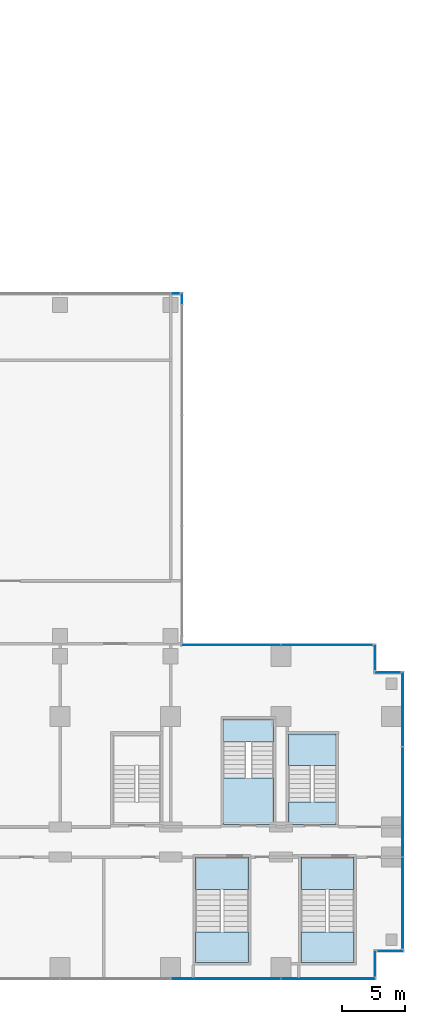
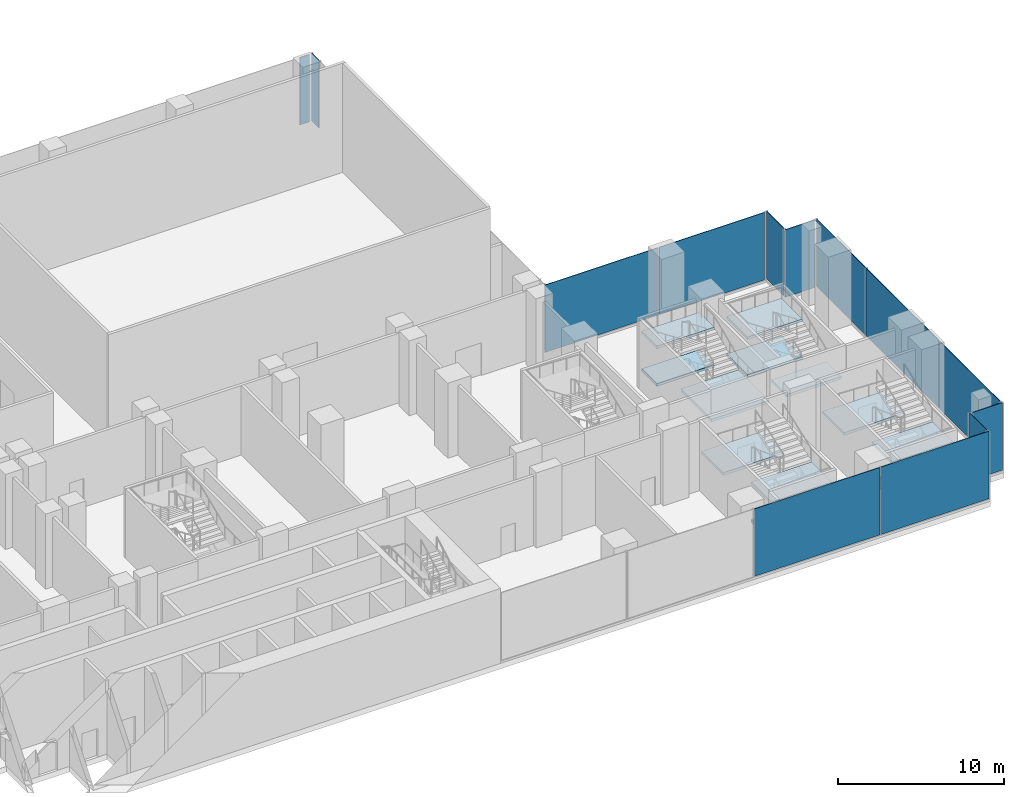
# One storey, part 16 of 30: 13 plates, 12 slabs, 13 elements without a shape of their own.
"""IFC4 building model written with IfcOpenShell, lengths in metres."""

from ifc_helpers import new_model, si_unit, direction, frame, origin, origin_2d, place, context, subcontext, project, spatial, polyline, rectangle, outline, extrude, source, transform, mapped, material, layer, layer_set, type_object, element, aggregate, save


model = new_model("IFC4")

# Units and contexts
model_context = context("Model", 3, precision=1e-05, world=origin(), true_north=direction((0.0, 1.0)))
body_context = subcontext(model_context, "Body", "Model", "MODEL_VIEW")
ifc_project = project(units=[si_unit("LENGTHUNIT", "METRE"), si_unit("AREAUNIT", "SQUARE_METRE"), si_unit("VOLUMEUNIT", "CUBIC_METRE"), si_unit("PLANEANGLEUNIT", "RADIAN"), si_unit("MASSUNIT", "GRAM", prefix="KILO")], contexts=[model_context])

# Site, building, storey
site_placement = place(None, origin())
site = spatial("IfcSite", under=ifc_project, at=site_placement, CompositionType="ELEMENT")
building_placement = place(site_placement, origin())
building = spatial("IfcBuilding", under=site, at=building_placement, Name="Kemantara Hotel Tower", CompositionType="ELEMENT")
storey_placement = place(building_placement, frame((0.0, 0.0, 18.0)))
storey = spatial("IfcBuildingStorey", under=building, at=storey_placement, Name="L03", CompositionType="ELEMENT", Elevation=18.0)

# Stair, slabs
ifc_material_1 = material(Name="Concrete fc 40 MPa", Category="concrete")
stair_type_1 = type_object("IfcStairType", Name="Stair 1800 wide 36 risers of 153 x 360 mm", PredefinedType="HALF_TURN_STAIR", material=ifc_material_1)
stair_1_placement = place(storey_placement, origin())
stair_1 = element("IfcStair", 1, at=stair_1_placement, inside=storey, type_object=stair_type_1, Name="L03 Exit stair ST5", PredefinedType="HALF_TURN_STAIR")
ifc_layer_1 = layer(ifc_material_1, 0.199951171875)
ifc_layer_set_1 = layer_set([ifc_layer_1], Name="Concrete fc 40 MPa")
slab_type = type_object("IfcSlabType", Name="Stair landing 200 mm", PredefinedType="LANDING", material=ifc_layer_set_1)
slab_1_placement = place(storey_placement, frame((0.0, 0.0, 1.175048828125)))
slab_1 = element("IfcSlab", 2, at=slab_1_placement, type_object=slab_type, Name="ST5 landing 1", PredefinedType="LANDING", context=body_context, shape_type="SweptSolid", body=[
    extrude(outline(polyline([(75.800048828125, 17.080078125), (75.800048828125, 19.60009765625), (72.0, 19.60009765625), (72.0, 17.080078125), (75.800048828125, 17.080078125)])), origin(), (0.0, 0.0, 1.0), 0.199951171875),
])
slab_2_placement = place(storey_placement, frame((0.0, 0.0, 2.550048828125)))
slab_2 = element("IfcSlab", 3, at=slab_2_placement, type_object=slab_type, Name="ST5 landing 2", PredefinedType="LANDING", context=body_context, shape_type="SweptSolid", body=[
    extrude(outline(polyline([(75.800048828125, 12.39990234375), (75.800048828125, 14.199951171875), (72.0, 14.199951171875), (72.0, 12.39990234375), (75.800048828125, 12.39990234375)])), origin(), (0.0, 0.0, 1.0), 0.199951171875),
])
slab_3_placement = place(storey_placement, frame((0.0, 0.0, 3.925048828125)))
slab_3 = element("IfcSlab", 4, at=slab_3_placement, type_object=slab_type, Name="ST5 landing 3", PredefinedType="LANDING", context=body_context, shape_type="SweptSolid", body=[
    extrude(outline(polyline([(75.800048828125, 17.080078125), (75.800048828125, 19.60009765625), (72.0, 19.60009765625), (72.0, 17.080078125), (75.800048828125, 17.080078125)])), origin(), (0.0, 0.0, 1.0), 0.199951171875),
])
aggregate(stair_1, [slab_1, slab_2, slab_3])

stair_2_placement = place(storey_placement, origin())
stair_2 = element("IfcStair", 5, at=stair_2_placement, inside=storey, type_object=stair_type_1, Name="L03 Stair PS1", PredefinedType="HALF_TURN_STAIR")
slab_4_placement = place(storey_placement, frame((0.0, 0.0, 1.175048828125)))
slab_4 = element("IfcSlab", 6, at=slab_4_placement, type_object=slab_type, Name="PS1 landing 1", PredefinedType="LANDING", context=body_context, shape_type="SweptSolid", body=[
    extrude(outline(polyline([(70.800048828125, 18.97998046875), (70.800048828125, 20.800048828125), (66.800048828125, 20.800048828125), (66.800048828125, 18.97998046875), (70.800048828125, 18.97998046875)])), origin(), (0.0, 0.0, 1.0), 0.199951171875),
])
slab_5_placement = place(storey_placement, frame((0.0, 0.0, 2.550048828125)))
slab_5 = element("IfcSlab", 7, at=slab_5_placement, type_object=slab_type, Name="PS1 landing 2", PredefinedType="LANDING", context=body_context, shape_type="SweptSolid", body=[
    extrude(outline(polyline([(70.800048828125, 12.39990234375), (70.800048828125, 16.10009765625), (66.800048828125, 16.10009765625), (66.800048828125, 12.39990234375), (70.800048828125, 12.39990234375)])), origin(), (0.0, 0.0, 1.0), 0.199951171875),
])
slab_6_placement = place(storey_placement, frame((0.0, 0.0, 3.925048828125)))
slab_6 = element("IfcSlab", 8, at=slab_6_placement, type_object=slab_type, Name="PS1 landing 3", PredefinedType="LANDING", context=body_context, shape_type="SweptSolid", body=[
    extrude(outline(polyline([(70.800048828125, 18.97998046875), (70.800048828125, 20.800048828125), (66.800048828125, 20.800048828125), (66.800048828125, 18.97998046875), (70.800048828125, 18.97998046875)])), origin(), (0.0, 0.0, 1.0), 0.199951171875),
])
aggregate(stair_2, [slab_4, slab_5, slab_6])

stair_type_2 = type_object("IfcStairType", Name="Stair 2000 wide 36 risers of 153 x 420 mm", PredefinedType="HALF_TURN_STAIR", material=ifc_material_1)
stair_3_placement = place(storey_placement, origin())
stair_3 = element("IfcStair", 9, at=stair_3_placement, inside=storey, type_object=stair_type_2, Name="L03 Stair PS4", PredefinedType="HALF_TURN_STAIR")
slab_7_placement = place(storey_placement, frame((0.0, 0.0, 1.175048828125)))
slab_7 = element("IfcSlab", 10, at=slab_7_placement, type_object=slab_type, Name="PS4 landing 1", PredefinedType="LANDING", context=body_context, shape_type="SweptSolid", body=[
    extrude(outline(polyline([(64.60009765625, 3.840087890625), (64.60009765625, 1.39990234375), (68.800048828125, 1.39990234375), (68.800048828125, 3.840087890625), (64.60009765625, 3.840087890625)])), origin(), (0.0, 0.0, 1.0), 0.199951171875),
])
slab_8_placement = place(storey_placement, frame((0.0, 0.0, 2.550048828125)))
slab_8 = element("IfcSlab", 11, at=slab_8_placement, type_object=slab_type, Name="PS4 landing 2", PredefinedType="LANDING", context=body_context, shape_type="SweptSolid", body=[
    extrude(outline(polyline([(64.60009765625, 9.800048828125), (64.60009765625, 7.199951171875), (68.800048828125, 7.199951171875), (68.800048828125, 9.800048828125), (64.60009765625, 9.800048828125)])), origin(), (0.0, 0.0, 1.0), 0.199951171875),
])
slab_9_placement = place(storey_placement, frame((0.0, 0.0, 3.925048828125)))
slab_9 = element("IfcSlab", 12, at=slab_9_placement, type_object=slab_type, Name="PS4 landing 3", PredefinedType="LANDING", context=body_context, shape_type="SweptSolid", body=[
    extrude(outline(polyline([(64.60009765625, 3.840087890625), (64.60009765625, 1.39990234375), (68.800048828125, 1.39990234375), (68.800048828125, 3.840087890625), (64.60009765625, 3.840087890625)])), origin(), (0.0, 0.0, 1.0), 0.199951171875),
])
aggregate(stair_3, [slab_7, slab_8, slab_9])

stair_4_placement = place(storey_placement, origin())
stair_4 = element("IfcStair", 13, at=stair_4_placement, inside=storey, type_object=stair_type_2, Name="L03 Stair PS5", PredefinedType="HALF_TURN_STAIR")
slab_10_placement = place(storey_placement, frame((0.0, 0.0, 1.175048828125)))
slab_10 = element("IfcSlab", 14, at=slab_10_placement, type_object=slab_type, Name="PS5 landing 1", PredefinedType="LANDING", context=body_context, shape_type="SweptSolid", body=[
    extrude(outline(polyline([(73.0, 3.840087890625), (73.0, 1.39990234375), (77.199951171875, 1.39990234375), (77.199951171875, 3.840087890625), (73.0, 3.840087890625)])), origin(), (0.0, 0.0, 1.0), 0.199951171875),
])
slab_11_placement = place(storey_placement, frame((0.0, 0.0, 2.550048828125)))
slab_11 = element("IfcSlab", 15, at=slab_11_placement, type_object=slab_type, Name="PS5 landing 2", PredefinedType="LANDING", context=body_context, shape_type="SweptSolid", body=[
    extrude(outline(polyline([(73.0, 9.800048828125), (73.0, 7.199951171875), (77.199951171875, 7.199951171875), (77.199951171875, 9.800048828125), (73.0, 9.800048828125)])), origin(), (0.0, 0.0, 1.0), 0.199951171875),
])
slab_12_placement = place(storey_placement, frame((0.0, 0.0, 3.925048828125)))
slab_12 = element("IfcSlab", 16, at=slab_12_placement, type_object=slab_type, Name="PS5 landing 3", PredefinedType="LANDING", context=body_context, shape_type="SweptSolid", body=[
    extrude(outline(polyline([(73.0, 3.840087890625), (73.0, 1.39990234375), (77.199951171875, 1.39990234375), (77.199951171875, 3.840087890625), (73.0, 3.840087890625)])), origin(), (0.0, 0.0, 1.0), 0.199951171875),
])
aggregate(stair_4, [slab_10, slab_11, slab_12])

# Curtain wall, plate
ifc_material_2 = material(Name="Laminated tinted insulated glass 44 mm", Category="glass")
curtain_wall_type = type_object("IfcCurtainWallType", Name="PODIUM GLASS CURTAIN WALL", PredefinedType="USERDEFINED", material=ifc_material_2)
curtain_wall_1_placement = place(storey_placement, origin())
curtain_wall_1 = element("IfcCurtainWall", 17, at=curtain_wall_1_placement, inside=storey, type_object=curtain_wall_type, Name="CW1 L03 POD-R01-2", ObjectType="PODIUM GLASS CURTAIN WALL", PredefinedType="USERDEFINED")
ifc_layer_2 = layer(ifc_material_2, 0.0439453125)
ifc_layer_set_2 = layer_set([ifc_layer_2], Name="Laminated tinted insulated glass 44 mm")
plate_type = type_object("IfcPlateType", Name="PODIUM GLASS CURTAIN WALL PANEL", PredefinedType="CURTAIN_PANEL", material=ifc_layer_set_2)
shared_shape_1 = source(origin(), body_context, "Body", "SweptSolid", [
    extrude(rectangle(XDim=8.72509765625, YDim=0.0439453125, at=origin_2d()), origin(), (0.0, 0.0, 1.0), 4.949951171875),
])
plate_1_placement = place(storey_placement, frame((67.0, 0.10009765625, 0.14990234375), z_axis=(0.0, 0.0, 1.0), x_axis=(1.0, 0.0, 0.0)))
plate_1 = element("IfcPlate", 18, at=plate_1_placement, type_object=plate_type, Name="CW1 glass panel POD-R01-2.3", PredefinedType="CURTAIN_PANEL", context=body_context, shape_type="MappedRepresentation", body=[
    mapped(shared_shape_1, transform((0.0, 0.0, 0.0))),
])

curtain_wall_2_placement = place(storey_placement, origin())
curtain_wall_2 = element("IfcCurtainWall", 19, at=curtain_wall_2_placement, inside=storey, type_object=curtain_wall_type, Name="CW1 L03 POD-R04-1", ObjectType="PODIUM GLASS CURTAIN WALL", PredefinedType="USERDEFINED")
plate_2_placement = place(storey_placement, frame((81.10009765625, 14.199951171875, 0.14990234375), z_axis=(0.0, 0.0, 1.0), x_axis=(0.0, 1.0, 0.0)))
plate_2 = element("IfcPlate", 20, at=plate_2_placement, type_object=plate_type, Name="CW1 glass panel POD-R04-1.2", PredefinedType="CURTAIN_PANEL", context=body_context, shape_type="MappedRepresentation", body=[
    mapped(shared_shape_1, transform((0.0, 0.0, 0.0))),
])

# Plate
shared_shape_2 = source(origin(), body_context, "Body", "SweptSolid", [
    extrude(rectangle(XDim=7.487548828125, YDim=0.0439453125, at=origin_2d()), origin(), (0.0, 0.0, 1.0), 4.949951171875),
])
plate_3_placement = place(storey_placement, frame((75.18115234375, 0.10009765625, 0.14990234375), z_axis=(0.0, 0.0, 1.0), x_axis=(1.0, 0.0, 0.0)))
plate_3 = element("IfcPlate", 21, at=plate_3_placement, type_object=plate_type, Name="CW1 glass panel POD-R01-2.4", PredefinedType="CURTAIN_PANEL", context=body_context, shape_type="MappedRepresentation", body=[
    mapped(shared_shape_2, transform((0.0, 0.0, 0.0))),
])

aggregate(curtain_wall_1, [plate_1, plate_3])

shared_shape_3 = source(origin(), body_context, "Body", "SweptSolid", [
    extrude(rectangle(XDim=7.28759765625, YDim=0.0439453125, at=origin_2d()), origin(), (0.0, 0.0, 1.0), 4.949951171875),
])
plate_4_placement = place(storey_placement, frame((81.10009765625, 6.11865234375, 0.14990234375), z_axis=(0.0, 0.0, 1.0), x_axis=(0.0, 1.0, 0.0)))
plate_4 = element("IfcPlate", 22, at=plate_4_placement, type_object=plate_type, Name="CW1 glass panel POD-R04-1.1", PredefinedType="CURTAIN_PANEL", context=body_context, shape_type="MappedRepresentation", body=[
    mapped(shared_shape_3, transform((0.0, 0.0, 0.0))),
])

# Curtain wall, plate
curtain_wall_3_placement = place(storey_placement, origin())
curtain_wall_3 = element("IfcCurtainWall", 23, at=curtain_wall_3_placement, inside=storey, type_object=curtain_wall_type, Name="CW1 L03 POD-R07-1", ObjectType="PODIUM GLASS CURTAIN WALL", PredefinedType="USERDEFINED")
plate_5_placement = place(storey_placement, frame((75.081298828125, 26.699951171875, 0.14990234375), z_axis=(0.0, 0.0, 1.0), x_axis=(-1.0, 0.0, 0.0)))
plate_5 = element("IfcPlate", 24, at=plate_5_placement, type_object=plate_type, Name="CW1 glass panel POD-R07-1.1", PredefinedType="CURTAIN_PANEL", context=body_context, shape_type="MappedRepresentation", body=[
    mapped(shared_shape_3, transform((0.0, 0.0, 0.0))),
])

# Plate
shared_shape_4 = source(origin(), body_context, "Body", "SweptSolid", [
    extrude(rectangle(XDim=5.887451171875, YDim=0.0439453125, at=origin_2d()), origin(), (0.0, 0.0, 1.0), 4.949951171875),
])
plate_6_placement = place(storey_placement, frame((81.10009765625, 21.581298828125, 0.14990234375), z_axis=(0.0, 0.0, 1.0), x_axis=(0.0, 1.0, 0.0)))
plate_6 = element("IfcPlate", 25, at=plate_6_placement, type_object=plate_type, Name="CW1 glass panel POD-R04-1.3", PredefinedType="CURTAIN_PANEL", context=body_context, shape_type="MappedRepresentation", body=[
    mapped(shared_shape_4, transform((0.0, 0.0, 0.0))),
])

aggregate(curtain_wall_2, [plate_4, plate_2, plate_6])

shared_shape_5 = source(origin(), body_context, "Body", "SweptSolid", [
    extrude(rectangle(XDim=7.887451171875, YDim=0.0439453125, at=origin_2d()), origin(), (0.0, 0.0, 1.0), 4.949951171875),
])
plate_7_placement = place(storey_placement, frame((67.418701171875, 26.699951171875, 0.14990234375), z_axis=(0.0, 0.0, 1.0), x_axis=(-1.0, 0.0, 0.0)))
plate_7 = element("IfcPlate", 26, at=plate_7_placement, type_object=plate_type, Name="CW1 glass panel POD-R07-1.2", PredefinedType="CURTAIN_PANEL", context=body_context, shape_type="MappedRepresentation", body=[
    mapped(shared_shape_5, transform((0.0, 0.0, 0.0))),
])

aggregate(curtain_wall_3, [plate_5, plate_7])

# Curtain wall, plate
curtain_wall_4_placement = place(storey_placement, origin())
curtain_wall_4 = element("IfcCurtainWall", 27, at=curtain_wall_4_placement, inside=storey, type_object=curtain_wall_type, Name="CW1 L03 POD-R08-1", ObjectType="PODIUM GLASS CURTAIN WALL", PredefinedType="USERDEFINED")
shared_shape_6 = source(origin(), body_context, "Body", "SweptSolid", [
    extrude(rectangle(XDim=0.887451171875, YDim=0.0439453125, at=origin_2d()), origin(), (0.0, 0.0, 1.0), 4.949951171875),
])
plate_8_placement = place(storey_placement, frame((63.5, 54.28125, 0.14990234375), z_axis=(0.0, 0.0, 1.0), x_axis=(0.0, 1.0, 0.0)))
plate_8 = element("IfcPlate", 28, at=plate_8_placement, type_object=plate_type, Name="CW1 glass panel POD-R08-1.5", PredefinedType="CURTAIN_PANEL", context=body_context, shape_type="MappedRepresentation", body=[
    mapped(shared_shape_6, transform((0.0, 0.0, 0.0))),
])
aggregate(curtain_wall_4, [plate_8])

curtain_wall_5_placement = place(storey_placement, origin())
curtain_wall_5 = element("IfcCurtainWall", 29, at=curtain_wall_5_placement, inside=storey, type_object=curtain_wall_type, Name="CW1 L03 POD-R09-1", ObjectType="PODIUM GLASS CURTAIN WALL", PredefinedType="USERDEFINED")
shared_shape_7 = source(origin(), body_context, "Body", "SweptSolid", [
    extrude(rectangle(XDim=0.6875, YDim=0.0439453125, at=origin_2d()), origin(), (0.0, 0.0, 1.0), 4.949951171875),
])
plate_9_placement = place(storey_placement, frame((62.981201171875, 54.699951171875, 0.14990234375), z_axis=(0.0, 0.0, 1.0), x_axis=(-1.0, 0.0, 0.0)))
plate_9 = element("IfcPlate", 30, at=plate_9_placement, type_object=plate_type, Name="CW1 glass panel POD-R09-1.1", PredefinedType="CURTAIN_PANEL", context=body_context, shape_type="MappedRepresentation", body=[
    mapped(shared_shape_7, transform((0.0, 0.0, 0.0))),
])
aggregate(curtain_wall_5, [plate_9])

curtain_wall_6_placement = place(storey_placement, origin())
curtain_wall_6 = element("IfcCurtainWall", 31, at=curtain_wall_6_placement, inside=storey, type_object=curtain_wall_type, Name="CW1 L03 POD-R02-1", ObjectType="PODIUM GLASS CURTAIN WALL", PredefinedType="USERDEFINED")
shared_shape_8 = source(origin(), body_context, "Body", "SweptSolid", [
    extrude(rectangle(XDim=2.050048828125, YDim=0.0439453125, at=origin_2d()), origin(), (0.0, 0.0, 1.0), 4.949951171875),
])
plate_10_placement = place(storey_placement, frame((78.89990234375, 1.300048828125, 0.14990234375), z_axis=(0.0, 0.0, 1.0), x_axis=(0.0, 1.0, 0.0)))
plate_10 = element("IfcPlate", 32, at=plate_10_placement, type_object=plate_type, Name="CW1 glass panel POD-R02-1.1", PredefinedType="CURTAIN_PANEL", context=body_context, shape_type="MappedRepresentation", body=[
    mapped(shared_shape_8, transform((0.0, 0.0, 0.0))),
])
aggregate(curtain_wall_6, [plate_10])

curtain_wall_7_placement = place(storey_placement, origin())
curtain_wall_7 = element("IfcCurtainWall", 33, at=curtain_wall_7_placement, inside=storey, type_object=curtain_wall_type, Name="CW1 L03 POD-R03-1", ObjectType="PODIUM GLASS CURTAIN WALL", PredefinedType="USERDEFINED")
plate_11_placement = place(storey_placement, frame((80.10009765625, 2.300048828125, 0.14990234375), z_axis=(0.0, 0.0, 1.0), x_axis=(1.0, 0.0, 0.0)))
plate_11 = element("IfcPlate", 34, at=plate_11_placement, type_object=plate_type, Name="CW1 glass panel POD-R03-1.1", PredefinedType="CURTAIN_PANEL", context=body_context, shape_type="MappedRepresentation", body=[
    mapped(shared_shape_8, transform((0.0, 0.0, 0.0))),
])
aggregate(curtain_wall_7, [plate_11])

curtain_wall_8_placement = place(storey_placement, origin())
curtain_wall_8 = element("IfcCurtainWall", 35, at=curtain_wall_8_placement, inside=storey, type_object=curtain_wall_type, Name="CW1 L03 POD-R05-1", ObjectType="PODIUM GLASS CURTAIN WALL", PredefinedType="USERDEFINED")
plate_12_placement = place(storey_placement, frame((79.89990234375, 24.5, 0.14990234375), z_axis=(0.0, 0.0, 1.0), x_axis=(-1.0, 0.0, 0.0)))
plate_12 = element("IfcPlate", 36, at=plate_12_placement, type_object=plate_type, Name="CW1 glass panel POD-R05-1.1", PredefinedType="CURTAIN_PANEL", context=body_context, shape_type="MappedRepresentation", body=[
    mapped(shared_shape_8, transform((0.0, 0.0, 0.0))),
])
aggregate(curtain_wall_8, [plate_12])

curtain_wall_9_placement = place(storey_placement, origin())
curtain_wall_9 = element("IfcCurtainWall", 37, at=curtain_wall_9_placement, inside=storey, type_object=curtain_wall_type, Name="CW1 L03 POD-R06-1", ObjectType="PODIUM GLASS CURTAIN WALL", PredefinedType="USERDEFINED")
plate_13_placement = place(storey_placement, frame((78.89990234375, 25.699951171875, 0.14990234375), z_axis=(0.0, 0.0, 1.0), x_axis=(0.0, 1.0, 0.0)))
plate_13 = element("IfcPlate", 38, at=plate_13_placement, type_object=plate_type, Name="CW1 glass panel POD-R06-1.1", PredefinedType="CURTAIN_PANEL", context=body_context, shape_type="MappedRepresentation", body=[
    mapped(shared_shape_8, transform((0.0, 0.0, 0.0))),
])
aggregate(curtain_wall_9, [plate_13])

save(model, "model.ifc")
